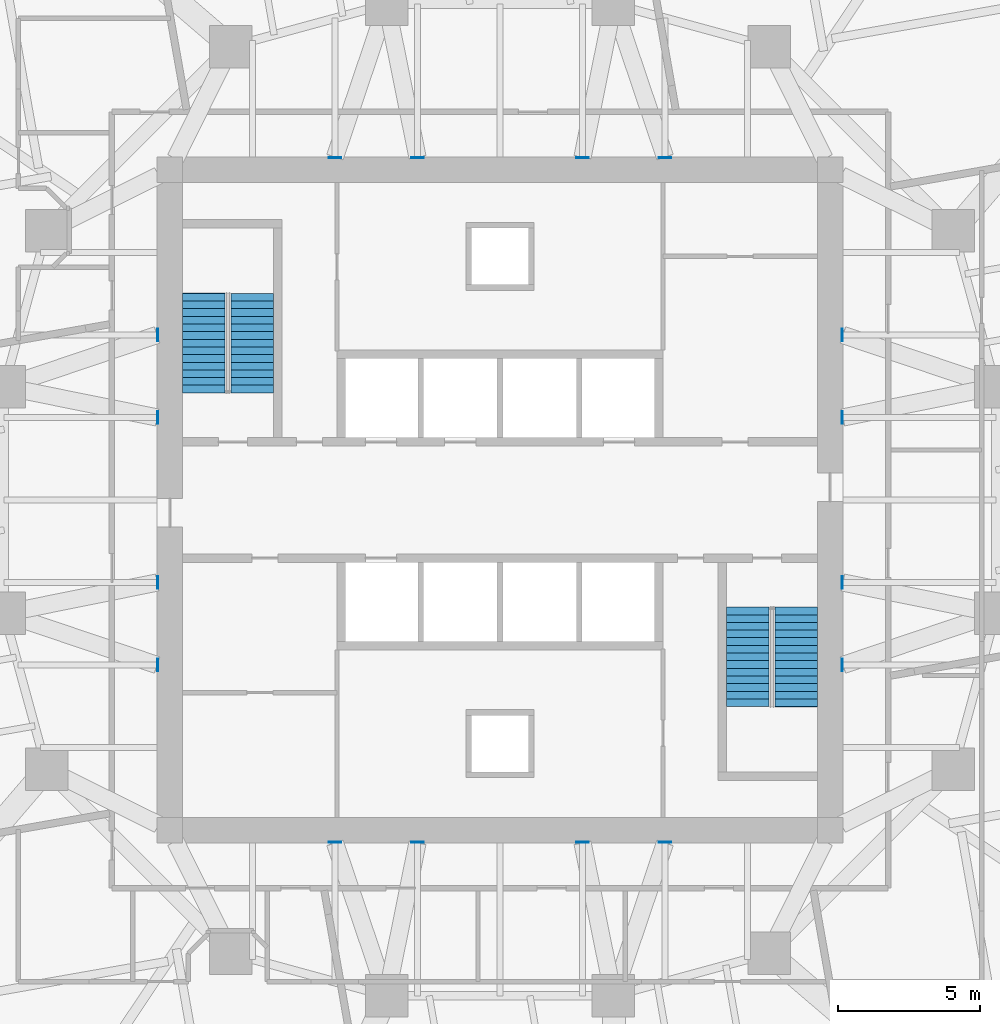
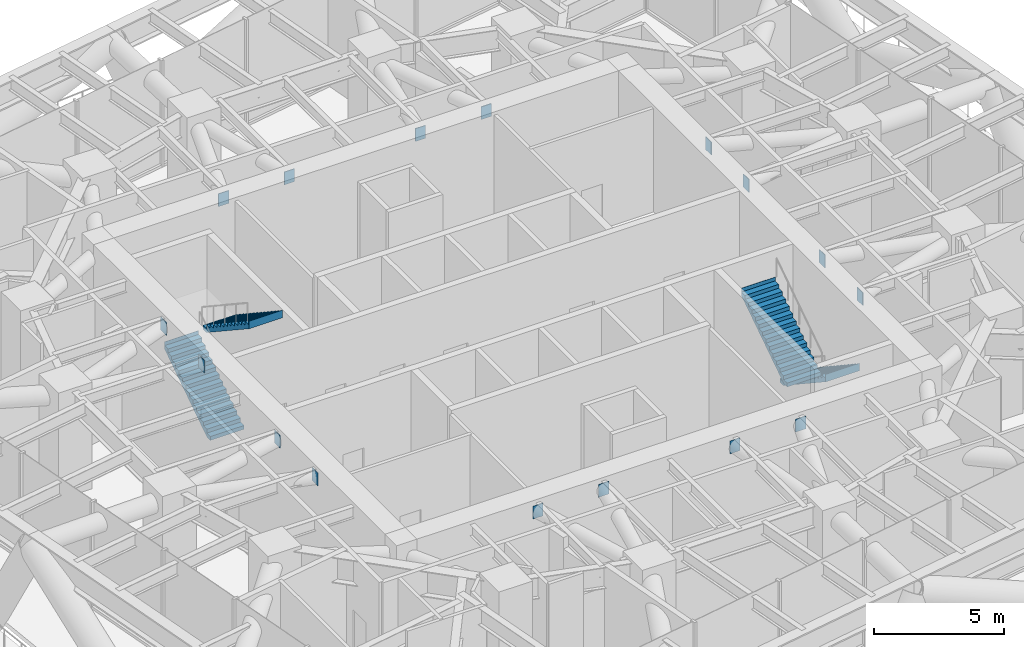
# One storey, part 13 of 15: 16 discrete accessories, 4 stair flights, 2 elements without a shape of their own.
"""IFC4 building model written with IfcOpenShell, lengths in metres."""

from ifc_helpers import new_model, si_unit, direction, frame, origin, origin_2d, place, context, subcontext, project, spatial, polyline, rectangle, outline, extrude, material, layer, layer_set, type_object, element, aggregate, save


model = new_model("IFC4")

# Units and contexts
model_context = context("Model", 3, precision=1e-05, world=origin(), true_north=direction((0.0, 1.0)))
body_context = subcontext(model_context, "Body", "Model", "MODEL_VIEW")
ifc_project = project(units=[si_unit("LENGTHUNIT", "METRE"), si_unit("AREAUNIT", "SQUARE_METRE"), si_unit("VOLUMEUNIT", "CUBIC_METRE"), si_unit("PLANEANGLEUNIT", "RADIAN"), si_unit("MASSUNIT", "GRAM", prefix="KILO")], contexts=[model_context])

# Site, building, storey
site_placement = place(None, origin())
site = spatial("IfcSite", under=ifc_project, at=site_placement, CompositionType="ELEMENT")
building_placement = place(site_placement, origin())
building = spatial("IfcBuilding", under=site, at=building_placement, Name="Torsade Residences", CompositionType="ELEMENT")
storey_placement = place(building_placement, frame((0.0, 0.0, 74.39990234375)))
storey = spatial("IfcBuildingStorey", under=building, at=storey_placement, Name="L20", CompositionType="ELEMENT", Elevation=74.39990234375)

# Stair, stair flights
ifc_material_1 = material(Name="Precast concrete 40 MPa", Category="concrete")
stair_type = type_object("IfcStairType", Name="HALF-TURN FIRE STAIR 1500x5000", PredefinedType="HALF_TURN_STAIR", material=ifc_material_1)
stair_1_placement = place(storey_placement, origin())
stair_1 = element("IfcStair", 1, at=stair_1_placement, inside=storey, type_object=stair_type, Name="Stair ST1 L20", PredefinedType="HALF_TURN_STAIR")
ifc_material_2 = material(Name="Precast concrete 40 MPa", Category="concrete")
stair_flight_type = type_object("IfcStairFlightType", Name="PRECAST STAIR FLIGHT 1500x2500", PredefinedType="STRAIGHT", material=ifc_material_2)
stair_flight_1_placement = place(storey_placement, frame((29.550048828125, 33.780029296875, 0.0), z_axis=(0.0, 0.0, 1.0), x_axis=(0.0, 1.0, 0.0)))
stair_flight_1 = element("IfcStairFlight", 2, at=stair_flight_1_placement, type_object=stair_flight_type, Name="ST1 flight 1", NumberOfRisers=14, NumberOfTreads=13, PredefinedType="STRAIGHT", RiserHeight=0.178571429, TreadLength=0.27, context=body_context, shape_type="SweptSolid", body=[
    extrude(outline(polyline([(0.0, 0.0), (0.0, 0.178466796875), (0.27001953125, 0.178466796875), (0.27001953125, 0.357177734375), (0.5400390625, 0.357177734375), (0.5400390625, 0.53564453125), (0.81005859375, 0.53564453125), (0.81005859375, 0.71435546875), (1.080078125, 0.71435546875), (1.080078125, 0.892822265625), (1.35009765625, 0.892822265625), (1.35009765625, 1.071533203125), (1.6201171875, 1.071533203125), (1.6201171875, 1.25), (1.889892578125, 1.25), (1.889892578125, 1.428466796875), (2.159912109375, 1.428466796875), (2.159912109375, 1.607177734375), (2.429931640625, 1.607177734375), (2.429931640625, 1.78564453125), (2.699951171875, 1.78564453125), (2.699951171875, 1.96435546875), (2.969970703125, 1.96435546875), (2.969970703125, 2.142822265625), (3.239990234375, 2.142822265625), (3.239990234375, 2.321533203125), (3.510009765625, 2.321533203125), (3.510009765625, 2.5), (3.52001953125, 2.5), (3.52001953125, 2.1416015625), (3.510009765625, 2.1416015625), (0.271728515625, 0.0), (0.0, 0.0)])), frame((0.0, 0.75, 0.0), z_axis=(0.0, -1.0, 0.0), x_axis=(1.0, 0.0, 0.0)), (0.0, 0.0, 1.0), 1.5),
])
stair_flight_2_placement = place(storey_placement, frame((31.25, 37.2900390625, 2.5), z_axis=(0.0, 0.0, 1.0), x_axis=(0.0, -1.0, 0.0)))
stair_flight_2 = element("IfcStairFlight", 3, at=stair_flight_2_placement, type_object=stair_flight_type, Name="ST1 flight 2", NumberOfRisers=14, NumberOfTreads=13, PredefinedType="STRAIGHT", RiserHeight=0.178571429, TreadLength=0.27, context=body_context, shape_type="SweptSolid", body=[
    extrude(outline(polyline([(0.0, 0.0), (0.0, 0.178466796875), (0.27001953125, 0.178466796875), (0.27001953125, 0.357177734375), (0.5400390625, 0.357177734375), (0.5400390625, 0.53564453125), (0.81005859375, 0.53564453125), (0.81005859375, 0.71435546875), (1.080078125, 0.71435546875), (1.080078125, 0.892822265625), (1.35009765625, 0.892822265625), (1.35009765625, 1.071533203125), (1.6201171875, 1.071533203125), (1.6201171875, 1.25), (1.889892578125, 1.25), (1.889892578125, 1.428466796875), (2.159912109375, 1.428466796875), (2.159912109375, 1.607177734375), (2.429931640625, 1.607177734375), (2.429931640625, 1.78564453125), (2.699951171875, 1.78564453125), (2.699951171875, 1.96435546875), (2.969970703125, 1.96435546875), (2.969970703125, 2.142822265625), (3.239990234375, 2.142822265625), (3.239990234375, 2.321533203125), (3.510009765625, 2.321533203125), (3.510009765625, 2.5), (3.52001953125, 2.5), (3.52001953125, 2.1416015625), (3.510009765625, 2.1416015625), (0.271728515625, 0.0), (0.0, 0.0)])), frame((0.0, 0.75, 0.0), z_axis=(0.0, -1.0, 0.0), x_axis=(1.0, 0.0, 0.0)), (0.0, 0.0, 1.0), 1.5),
])
aggregate(stair_1, [stair_flight_1, stair_flight_2])

stair_2_placement = place(storey_placement, origin())
stair_2 = element("IfcStair", 4, at=stair_2_placement, inside=storey, type_object=stair_type, Name="Stair ST2 L20", PredefinedType="HALF_TURN_STAIR")
stair_flight_3_placement = place(storey_placement, frame((50.449951171875, 26.219970703125, 0.0), z_axis=(0.0, 0.0, 1.0), x_axis=(0.0, -1.0, 0.0)))
stair_flight_3 = element("IfcStairFlight", 5, at=stair_flight_3_placement, type_object=stair_flight_type, Name="ST2 flight 1", NumberOfRisers=14, NumberOfTreads=13, PredefinedType="STRAIGHT", RiserHeight=0.178571429, TreadLength=0.27, context=body_context, shape_type="SweptSolid", body=[
    extrude(outline(polyline([(0.0, 0.0), (0.0, 0.178466796875), (0.27001953125, 0.178466796875), (0.27001953125, 0.357177734375), (0.5400390625, 0.357177734375), (0.5400390625, 0.53564453125), (0.81005859375, 0.53564453125), (0.81005859375, 0.71435546875), (1.080078125, 0.71435546875), (1.080078125, 0.892822265625), (1.35009765625, 0.892822265625), (1.35009765625, 1.071533203125), (1.6201171875, 1.071533203125), (1.6201171875, 1.25), (1.889892578125, 1.25), (1.889892578125, 1.428466796875), (2.159912109375, 1.428466796875), (2.159912109375, 1.607177734375), (2.429931640625, 1.607177734375), (2.429931640625, 1.78564453125), (2.699951171875, 1.78564453125), (2.699951171875, 1.96435546875), (2.969970703125, 1.96435546875), (2.969970703125, 2.142822265625), (3.239990234375, 2.142822265625), (3.239990234375, 2.321533203125), (3.510009765625, 2.321533203125), (3.510009765625, 2.5), (3.52001953125, 2.5), (3.52001953125, 2.1416015625), (3.510009765625, 2.1416015625), (0.271728515625, 0.0), (0.0, 0.0)])), frame((0.0, 0.75, 0.0), z_axis=(0.0, -1.0, 0.0), x_axis=(1.0, 0.0, 0.0)), (0.0, 0.0, 1.0), 1.5),
])
stair_flight_4_placement = place(storey_placement, frame((48.75, 22.7099609375, 2.5), z_axis=(0.0, 0.0, 1.0), x_axis=(0.0, 1.0, 0.0)))
stair_flight_4 = element("IfcStairFlight", 6, at=stair_flight_4_placement, type_object=stair_flight_type, Name="ST2 flight 2", NumberOfRisers=14, NumberOfTreads=13, PredefinedType="STRAIGHT", RiserHeight=0.178571429, TreadLength=0.27, context=body_context, shape_type="SweptSolid", body=[
    extrude(outline(polyline([(0.0, 0.0), (0.0, 0.178466796875), (0.27001953125, 0.178466796875), (0.27001953125, 0.357177734375), (0.5400390625, 0.357177734375), (0.5400390625, 0.53564453125), (0.81005859375, 0.53564453125), (0.81005859375, 0.71435546875), (1.080078125, 0.71435546875), (1.080078125, 0.892822265625), (1.35009765625, 0.892822265625), (1.35009765625, 1.071533203125), (1.6201171875, 1.071533203125), (1.6201171875, 1.25), (1.889892578125, 1.25), (1.889892578125, 1.428466796875), (2.159912109375, 1.428466796875), (2.159912109375, 1.607177734375), (2.429931640625, 1.607177734375), (2.429931640625, 1.78564453125), (2.699951171875, 1.78564453125), (2.699951171875, 1.96435546875), (2.969970703125, 1.96435546875), (2.969970703125, 2.142822265625), (3.239990234375, 2.142822265625), (3.239990234375, 2.321533203125), (3.510009765625, 2.321533203125), (3.510009765625, 2.5), (3.52001953125, 2.5), (3.52001953125, 2.1416015625), (3.510009765625, 2.1416015625), (0.271728515625, 0.0), (0.0, 0.0)])), frame((0.0, 0.75, 0.0), z_axis=(0.0, -1.0, 0.0), x_axis=(1.0, 0.0, 0.0)), (0.0, 0.0, 1.0), 1.5),
])
aggregate(stair_2, [stair_flight_3, stair_flight_4])

# Discrete accessories
ifc_material_3 = material(Name="Steel grade 350", Category="steel")
ifc_layer = layer(ifc_material_3, 0.031982421875)
ifc_layer_set = layer_set([ifc_layer], Name="Steel grade 350")
discrete_accessory_type = type_object("IfcDiscreteAccessoryType", Name="CAST-IN PLATE 450x600x32", PredefinedType="ANCHORPLATE", material=ifc_layer_set)
for number, where, z_axis, x_axis, name in (
    (7, (52.083984375, 27.08740234375, 4.135986328125), (0.0, 0.0, 1.0), (1.0, 0.0, 0.0), "Cast-in plate PB1 PB-L21-IR01IE03"),
    (8, (52.083984375, 24.175048828125, 4.135986328125), (0.0, 0.0, 1.0), (1.0, 0.0, 0.0), "Cast-in plate PB1 PB-L21-IR01IE02"),
    (9, (52.083984375, 32.91259765625, 4.135986328125), (0.0, 0.0, 1.0), (1.0, 0.0, 0.0), "Cast-in plate PB1 PB-L21-IR02IE05"),
    (10, (52.083984375, 35.824951171875, 4.135986328125), (0.0, 0.0, 1.0), (1.0, 0.0, 0.0), "Cast-in plate PB1 PB-L21-IR02IE06"),
):
    element("IfcDiscreteAccessory", number, at=place(storey_placement, frame(where, z_axis=z_axis, x_axis=x_axis)), inside=storey, type_object=discrete_accessory_type, Name=name, PredefinedType="ANCHORPLATE", context=body_context, shape_type="SweptSolid", body=[
        extrude(rectangle(XDim=0.031982421875, YDim=0.449951171875, at=origin_2d()), origin(), (0.0, 0.0, 1.0), 0.60009765625),
    ])
for number, where, z_axis, x_axis, name in (
    (11, (42.91259765625, 42.083984375, 4.135986328125), (0.0, 0.0, 1.0), (1.0, 0.0, 0.0), "Cast-in plate PB1 PB-L21-IR05IN05"),
    (12, (45.824951171875, 42.083984375, 4.135986328125), (0.0, 0.0, 1.0), (1.0, 0.0, 0.0), "Cast-in plate PB1 PB-L21-IR05IN06"),
    (13, (37.08740234375, 42.083984375, 4.135986328125), (0.0, 0.0, 1.0), (1.0, 0.0, 0.0), "Cast-in plate PB1 PB-L21-IR06IN03"),
    (14, (34.175048828125, 42.083984375, 4.135986328125), (0.0, 0.0, 1.0), (1.0, 0.0, 0.0), "Cast-in plate PB1 PB-L21-IR06IN02"),
):
    element("IfcDiscreteAccessory", number, at=place(storey_placement, frame(where, z_axis=z_axis, x_axis=x_axis)), inside=storey, type_object=discrete_accessory_type, Name=name, PredefinedType="ANCHORPLATE", context=body_context, shape_type="SweptSolid", body=[
        extrude(rectangle(XDim=0.449951171875, YDim=0.031982421875, at=origin_2d()), origin(), (0.0, 0.0, 1.0), 0.60009765625),
    ])
for number, where, z_axis, x_axis, name in (
    (15, (27.916015625, 32.91259765625, 4.135986328125), (0.0, 0.0, 1.0), (1.0, 0.0, 0.0), "Cast-in plate PB1 PB-L21-IR09IW03"),
    (16, (27.916015625, 35.824951171875, 4.135986328125), (0.0, 0.0, 1.0), (1.0, 0.0, 0.0), "Cast-in plate PB1 PB-L21-IR09IW02"),
    (17, (27.916015625, 27.08740234375, 4.135986328125), (0.0, 0.0, 1.0), (1.0, 0.0, 0.0), "Cast-in plate PB1 PB-L21-IR10IW05"),
    (18, (27.916015625, 24.175048828125, 4.135986328125), (0.0, 0.0, 1.0), (1.0, 0.0, 0.0), "Cast-in plate PB1 PB-L21-IR10IW06"),
):
    element("IfcDiscreteAccessory", number, at=place(storey_placement, frame(where, z_axis=z_axis, x_axis=x_axis)), inside=storey, type_object=discrete_accessory_type, Name=name, PredefinedType="ANCHORPLATE", context=body_context, shape_type="SweptSolid", body=[
        extrude(rectangle(XDim=0.031982421875, YDim=0.449951171875, at=origin_2d()), origin(), (0.0, 0.0, 1.0), 0.60009765625),
    ])
for number, where, z_axis, x_axis, name in (
    (19, (37.08740234375, 17.916015625, 4.135986328125), (0.0, 0.0, 1.0), (1.0, 0.0, 0.0), "Cast-in plate PB1 PB-L21-IR13IS05"),
    (20, (34.175048828125, 17.916015625, 4.135986328125), (0.0, 0.0, 1.0), (1.0, 0.0, 0.0), "Cast-in plate PB1 PB-L21-IR13IS06"),
    (21, (42.91259765625, 17.916015625, 4.135986328125), (0.0, 0.0, 1.0), (1.0, 0.0, 0.0), "Cast-in plate PB1 PB-L21-IR14IS03"),
    (22, (45.824951171875, 17.916015625, 4.135986328125), (0.0, 0.0, 1.0), (1.0, 0.0, 0.0), "Cast-in plate PB1 PB-L21-IR14IS02"),
):
    element("IfcDiscreteAccessory", number, at=place(storey_placement, frame(where, z_axis=z_axis, x_axis=x_axis)), inside=storey, type_object=discrete_accessory_type, Name=name, PredefinedType="ANCHORPLATE", context=body_context, shape_type="SweptSolid", body=[
        extrude(rectangle(XDim=0.449951171875, YDim=0.031982421875, at=origin_2d()), origin(), (0.0, 0.0, 1.0), 0.60009765625),
    ])

save(model, "model.ifc")
